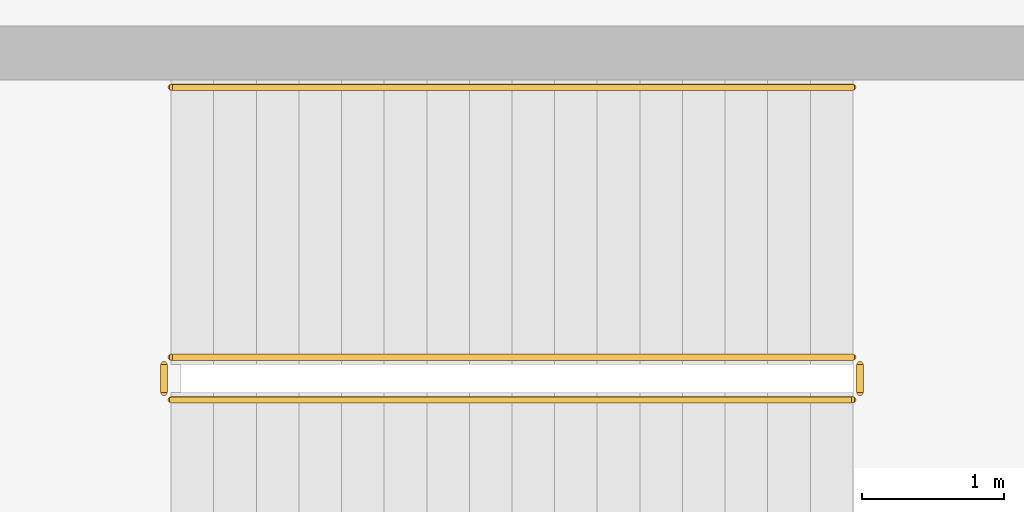
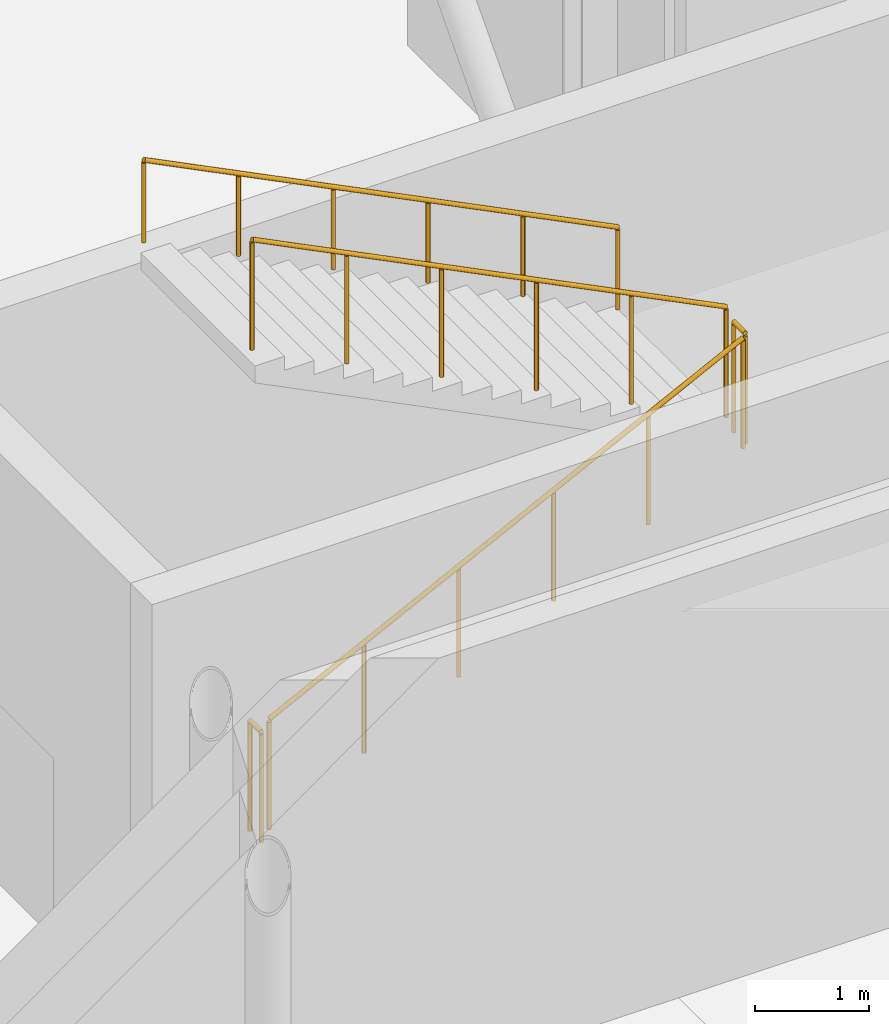
# One storey, part 95 of 104: 5 railings.
"""IFC4 building model written with IfcOpenShell, lengths in metres."""

from ifc_helpers import new_model, si_unit, direction, frame, origin, origin_2d, place, context, subcontext, project, spatial, circle, extrude, material, type_object, element, save


model = new_model("IFC4")

# Units and contexts
model_context = context("Model", 3, precision=1e-05, world=origin(), true_north=direction((0.0, 1.0)))
body_context = subcontext(model_context, "Body", "Model", "MODEL_VIEW")
ifc_project = project(units=[si_unit("LENGTHUNIT", "METRE"), si_unit("AREAUNIT", "SQUARE_METRE"), si_unit("VOLUMEUNIT", "CUBIC_METRE"), si_unit("PLANEANGLEUNIT", "RADIAN"), si_unit("MASSUNIT", "GRAM", prefix="KILO"), si_unit("THERMODYNAMICTEMPERATUREUNIT", "KELVIN")], contexts=[model_context])

# Site, building, storey
site_placement = place(None, origin())
site = spatial("IfcSite", under=ifc_project, at=site_placement, CompositionType="ELEMENT")
building_placement = place(site_placement, origin())
building = spatial("IfcBuilding", under=site, at=building_placement, Name="Lustrewick Department Store", CompositionType="ELEMENT")
storey_placement = place(building_placement, frame((0.0, 0.0, 11.39990234375)))
storey = spatial("IfcBuildingStorey", under=building, at=storey_placement, Name="L03", CompositionType="ELEMENT", Elevation=11.39990234375)

# Railings
ifc_material_1 = material(Name="Painted tubular steel stairwell guardrail", Category="steel")
railing_type_1 = type_object("IfcRailingType", Name="RL-STG", PredefinedType="GUARDRAIL", material=ifc_material_1)
railing_1_placement = place(storey_placement, frame((128.35009765625, 53.949951171875, 0.150146484375)))
element("IfcRailing", 1, at=railing_1_placement, inside=storey, type_object=railing_type_1, Name="L03 ST11 Stair Guard 1", PredefinedType="GUARDRAIL", context=body_context, shape_type="SweptSolid", body=[
    extrude(circle(Radius=0.02392578125, at=origin_2d()), frame((0.0, 0.0, 1.17578125), z_axis=(0.894427191, 0.0, 0.4472135955), x_axis=(0.0, 1.0, 0.0)), (0.0, 0.0, 1.0), 5.366455078125),
    extrude(circle(Radius=0.02099609375, at=origin_2d()), origin(), (0.0, 0.0, 1.0), 1.15185546875),
    extrude(circle(Radius=0.02099609375, at=origin_2d()), frame((0.9599609375, 0.0, 0.47998046875)), (0.0, 0.0, 1.0), 1.15185546875),
    extrude(circle(Radius=0.02099609375, at=origin_2d()), frame((1.919921875, 0.0, 0.9599609375)), (0.0, 0.0, 1.0), 1.15185546875),
    extrude(circle(Radius=0.02099609375, at=origin_2d()), frame((2.8798828125, 0.0, 1.43994140625)), (0.0, 0.0, 1.0), 1.15185546875),
    extrude(circle(Radius=0.02099609375, at=origin_2d()), frame((3.83984375, 0.0, 1.919921875)), (0.0, 0.0, 1.0), 1.15185546875),
    extrude(circle(Radius=0.02099609375, at=origin_2d()), frame((4.7998046875, 0.0, 2.39990234375)), (0.0, 0.0, 1.0), 1.15185546875),
])
railing_2_placement = place(storey_placement, frame((133.199951171875, 54.0, 2.550048828125)))
element("IfcRailing", 2, at=railing_2_placement, inside=storey, type_object=railing_type_1, Name="L03 ST11 Stair Guard 2", PredefinedType="GUARDRAIL", context=body_context, shape_type="SweptSolid", body=[
    extrude(circle(Radius=0.02392578125, at=origin_2d()), frame((0.0, 0.0, 1.17578125), z_axis=(0.0, 1.0, 0.0), x_axis=(-1.0, 0.0, 0.0)), (0.0, 0.0, 1.0), 0.199951171875),
    extrude(circle(Radius=0.02099609375, at=origin_2d()), origin(), (0.0, 0.0, 1.0), 1.15185546875),
    extrude(circle(Radius=0.02099609375, at=origin_2d()), frame((0.0, 0.199951171875, 0.0)), (0.0, 0.0, 1.0), 1.15185546875),
])
railing_3_placement = place(storey_placement, frame((133.14990234375, 54.25, 2.7001953125)))
element("IfcRailing", 3, at=railing_3_placement, inside=storey, type_object=railing_type_1, Name="L03 ST11 Stair Guard 3", PredefinedType="GUARDRAIL", context=body_context, shape_type="SweptSolid", body=[
    extrude(circle(Radius=0.02392578125, at=origin_2d()), frame((0.0, 0.0, 1.17578125), z_axis=(-0.894427191, 0.0, 0.4472135955), x_axis=(0.0, -1.0, 0.0)), (0.0, 0.0, 1.0), 5.366455078125),
    extrude(circle(Radius=0.02099609375, at=origin_2d()), origin(), (0.0, 0.0, 1.0), 1.15185546875),
    extrude(circle(Radius=0.02099609375, at=origin_2d()), frame((-0.9599609375, 0.0, 0.47998046875)), (0.0, 0.0, 1.0), 1.15185546875),
    extrude(circle(Radius=0.02099609375, at=origin_2d()), frame((-1.919921875, 0.0, 0.9599609375)), (0.0, 0.0, 1.0), 1.15185546875),
    extrude(circle(Radius=0.02099609375, at=origin_2d()), frame((-2.8798828125, 0.0, 1.43994140625)), (0.0, 0.0, 1.0), 1.15185546875),
    extrude(circle(Radius=0.02099609375, at=origin_2d()), frame((-3.83984375, 0.0, 1.919921875)), (0.0, 0.0, 1.0), 1.15185546875),
    extrude(circle(Radius=0.02099609375, at=origin_2d()), frame((-4.7998046875, 0.0, 2.39990234375)), (0.0, 0.0, 1.0), 1.15185546875),
])
railing_4_placement = place(storey_placement, frame((128.300048828125, 54.0, 0.0)))
element("IfcRailing", 4, at=railing_4_placement, inside=storey, type_object=railing_type_1, Name="L03 ST11 Stair Guard 4", PredefinedType="GUARDRAIL", context=body_context, shape_type="SweptSolid", body=[
    extrude(circle(Radius=0.02392578125, at=origin_2d()), frame((0.0, 0.0, 1.17578125), z_axis=(0.0, 1.0, 0.0), x_axis=(-1.0, 0.0, 0.0)), (0.0, 0.0, 1.0), 0.199951171875),
    extrude(circle(Radius=0.02099609375, at=origin_2d()), origin(), (0.0, 0.0, 1.0), 1.15185546875),
    extrude(circle(Radius=0.02099609375, at=origin_2d()), frame((0.0, 0.199951171875, 0.0)), (0.0, 0.0, 1.0), 1.15185546875),
])
ifc_material_2 = material(Name="Brushed stainless steel wall handrail", Category="steel")
railing_type_2 = type_object("IfcRailingType", Name="RL-STH", PredefinedType="HANDRAIL", material=ifc_material_2)
railing_5_placement = place(storey_placement, frame((133.14990234375, 56.14990234375, 2.7001953125)))
element("IfcRailing", 5, at=railing_5_placement, inside=storey, type_object=railing_type_2, Name="L03 ST11 Stair Handrail 2", PredefinedType="HANDRAIL", context=body_context, shape_type="SweptSolid", body=[
    extrude(circle(Radius=0.02392578125, at=origin_2d()), frame((0.0, 0.0, 0.8759765625), z_axis=(-0.894427191, 0.0, 0.4472135955), x_axis=(0.0, -1.0, 0.0)), (0.0, 0.0, 1.0), 5.366455078125),
    extrude(circle(Radius=0.02099609375, at=origin_2d()), origin(), (0.0, 0.0, 1.0), 0.851806640625),
    extrude(circle(Radius=0.02099609375, at=origin_2d()), frame((-0.9599609375, 0.0, 0.47998046875)), (0.0, 0.0, 1.0), 0.851806640625),
    extrude(circle(Radius=0.02099609375, at=origin_2d()), frame((-1.919921875, 0.0, 0.9599609375)), (0.0, 0.0, 1.0), 0.851806640625),
    extrude(circle(Radius=0.02099609375, at=origin_2d()), frame((-2.8798828125, 0.0, 1.43994140625)), (0.0, 0.0, 1.0), 0.851806640625),
    extrude(circle(Radius=0.02099609375, at=origin_2d()), frame((-3.83984375, 0.0, 1.919921875)), (0.0, 0.0, 1.0), 0.851806640625),
    extrude(circle(Radius=0.02099609375, at=origin_2d()), frame((-4.7998046875, 0.0, 2.39990234375)), (0.0, 0.0, 1.0), 0.851806640625),
])

save(model, "model.ifc")
